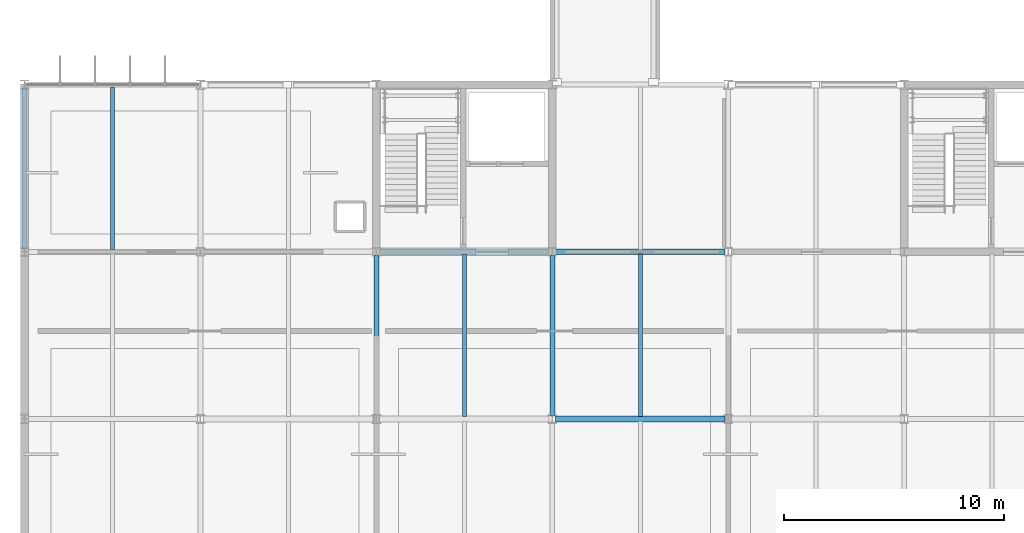
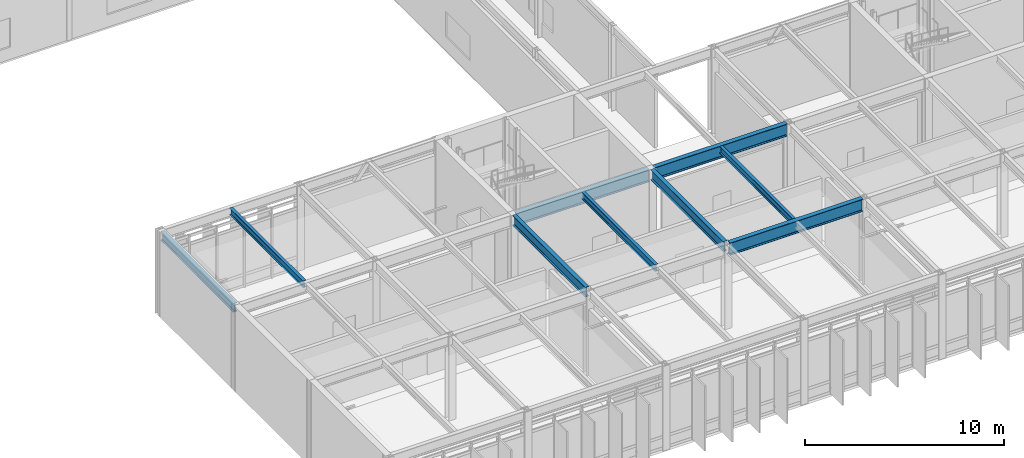
# One storey, part 24 of 94: 9 beams.
"""IFC4 building model written with IfcOpenShell, lengths in metres."""

from ifc_helpers import new_model, si_unit, direction, frame, origin, origin_2d, place, context, subcontext, project, spatial, i_section, extrude, material, material_profile, profile_set, type_object, element, save


model = new_model("IFC4")

# Units and contexts
model_context = context("Model", 3, precision=1e-05, world=origin(), true_north=direction((0.0, 1.0)))
body_context = subcontext(model_context, "Body", "Model", "MODEL_VIEW")
ifc_project = project(units=[si_unit("LENGTHUNIT", "METRE"), si_unit("AREAUNIT", "SQUARE_METRE"), si_unit("VOLUMEUNIT", "CUBIC_METRE"), si_unit("PLANEANGLEUNIT", "RADIAN"), si_unit("MASSUNIT", "GRAM", prefix="KILO")], contexts=[model_context])

# Site, building, storey
site_placement = place(None, origin())
site = spatial("IfcSite", under=ifc_project, at=site_placement, CompositionType="ELEMENT")
building_placement = place(site_placement, origin())
building = spatial("IfcBuilding", under=site, at=building_placement, Name="Zulena Civic Courthouse", CompositionType="ELEMENT")
storey_placement = place(building_placement, frame((0.0, 0.0, 5.39990234375)))
storey = spatial("IfcBuildingStorey", under=building, at=storey_placement, Name="L01", CompositionType="ELEMENT", Elevation=5.39990234375)

# Beams
ifc_material = material(Name="Steel ASTM A992 Grade 50", Category="steel")
ifc_material_profile_1 = material_profile(ifc_material, i_section(OverallWidth=0.22802734375, OverallDepth=0.60693359375, WebThickness=0.01123046875, FlangeThickness=0.017333984375, FilletRadius=0.0126953125, at=origin_2d()), Name="W24X76")
ifc_profile_set_1 = profile_set([ifc_material_profile_1], Name="Steel ASTM A992 Grade 50")
beam_type_1 = type_object("IfcBeamType", Name="Girder_W24X76", PredefinedType="BEAM", material=ifc_profile_set_1)
for number, where, z_axis, x_axis, name in (
    (1, (20.0, 7.7451171875, 4.881591796875), (0.0, 1.0, 0.0), (-1.0, 0.0, 0.0), "beam:Y:V2:L01:20.0:7.6_15.2"),
    (2, (28.0, 7.7451171875, 4.881591796875), (0.0, 1.0, 0.0), (-1.0, 0.0, 0.0), "beam:Y:V2:L01:28.0:7.6_15.2"),
):
    element("IfcBeam", number, at=place(storey_placement, frame(where, z_axis=z_axis, x_axis=x_axis)), inside=storey, type_object=beam_type_1, Name=name, PredefinedType="BEAM", context=body_context, shape_type="SweptSolid", body=[
        extrude(i_section(OverallWidth=0.22802734375, OverallDepth=0.60693359375, WebThickness=0.01123046875, FlangeThickness=0.017333984375, FilletRadius=0.0126953125, at=origin_2d()), origin(), (0.0, 0.0, 1.0), 7.309814453125),
    ])
ifc_material_profile_2 = material_profile(ifc_material, i_section(OverallWidth=0.26708984375, OverallDepth=0.761962890625, WebThickness=0.014404296875, FlangeThickness=0.021484375, FilletRadius=0.0166015625, at=origin_2d()), Name="W30X116")
ifc_profile_set_2 = profile_set([ifc_material_profile_2], Name="Steel ASTM A992 Grade 50")
beam_type_2 = type_object("IfcBeamType", Name="Girder_W30X116", PredefinedType="BEAM", material=ifc_profile_set_2)
for number, where, z_axis, x_axis, name in (
    (3, (28.14501953125, 7.60009765625, 4.80419921875), (1.0, 0.0, 0.0), (0.0, 1.0, 0.0), "beam:X:V2:L01:7.6:28.0_36.0"),
    (4, (20.14501953125, 15.199951171875, 4.80419921875), (1.0, 0.0, 0.0), (0.0, 1.0, 0.0), "beam:X:V2:L01:15.2:20.0_28.0"),
    (5, (28.14501953125, 15.199951171875, 4.80419921875), (1.0, 0.0, 0.0), (0.0, 1.0, 0.0), "beam:X:V2:L01:15.2:28.0_36.0"),
):
    element("IfcBeam", number, at=place(storey_placement, frame(where, z_axis=z_axis, x_axis=x_axis)), inside=storey, type_object=beam_type_2, Name=name, PredefinedType="BEAM", context=body_context, shape_type="SweptSolid", body=[
        extrude(i_section(OverallWidth=0.26708984375, OverallDepth=0.761962890625, WebThickness=0.014404296875, FlangeThickness=0.021484375, FilletRadius=0.0166015625, at=origin_2d()), origin(), (0.0, 0.0, 1.0), 7.7099609375),
    ])
ifc_material_profile_3 = material_profile(ifc_material, i_section(OverallWidth=0.180908203125, OverallDepth=0.4169921875, WebThickness=0.010986328125, FlangeThickness=0.018310546875, FilletRadius=0.01025390625, at=origin_2d()), Name="W16X57")
ifc_profile_set_3 = profile_set([ifc_material_profile_3], Name="Steel ASTM A992 Grade 50")
beam_type_3 = type_object("IfcBeamType", Name="Joist_W16X57", PredefinedType="JOIST", material=ifc_profile_set_3)
beam_1_placement = place(storey_placement, frame((8.0, 15.304931640625, 4.9765625), z_axis=(0.0, 1.0, 0.0), x_axis=(-1.0, 0.0, 0.0)))
element("IfcBeam", 6, at=beam_1_placement, inside=storey, type_object=beam_type_3, Name="joist:V2:L01:8.00:15.2_22.8", PredefinedType="JOIST", context=body_context, shape_type="SweptSolid", body=[
    extrude(i_section(OverallWidth=0.180908203125, OverallDepth=0.4169921875, WebThickness=0.010986328125, FlangeThickness=0.018310546875, FilletRadius=0.01025390625, at=origin_2d()), origin(), (0.0, 0.0, 1.0), 7.39013671875),
])
for number, where, z_axis, x_axis, name in (
    (7, (24.0, 7.705078125, 4.9765625), (0.0, 1.0, 0.0), (-1.0, 0.0, 0.0), "joist:V2:L01:24.00:7.6_15.2"),
    (8, (32.0, 7.705078125, 4.9765625), (0.0, 1.0, 0.0), (-1.0, 0.0, 0.0), "joist:V2:L01:32.00:7.6_15.2"),
):
    element("IfcBeam", number, at=place(storey_placement, frame(where, z_axis=z_axis, x_axis=x_axis)), inside=storey, type_object=beam_type_3, Name=name, PredefinedType="JOIST", context=body_context, shape_type="SweptSolid", body=[
        extrude(i_section(OverallWidth=0.180908203125, OverallDepth=0.4169921875, WebThickness=0.010986328125, FlangeThickness=0.018310546875, FilletRadius=0.01025390625, at=origin_2d()), origin(), (0.0, 0.0, 1.0), 7.389892578125),
    ])
ifc_material_profile_4 = material_profile(ifc_material, i_section(OverallWidth=0.2099609375, OverallDepth=0.537109375, WebThickness=0.010986328125, FlangeThickness=0.017333984375, FilletRadius=0.0126953125, at=origin_2d()), Name="W21X68")
ifc_profile_set_4 = profile_set([ifc_material_profile_4], Name="Steel ASTM A992 Grade 50")
beam_type_4 = type_object("IfcBeamType", Name="Spandrel_W21X68", PredefinedType="SPANDREL", material=ifc_profile_set_4)
beam_2_placement = place(storey_placement, frame((4.0, 15.344970703125, 4.91650390625), z_axis=(0.0, 1.0, 0.0), x_axis=(-1.0, 0.0, 0.0)))
element("IfcBeam", 9, at=beam_2_placement, inside=storey, type_object=beam_type_4, Name="beam:Y:V2:L01:4.0:15.2_22.8", PredefinedType="SPANDREL", context=body_context, shape_type="SweptSolid", body=[
    extrude(i_section(OverallWidth=0.2099609375, OverallDepth=0.537109375, WebThickness=0.010986328125, FlangeThickness=0.017333984375, FilletRadius=0.0126953125, at=origin_2d()), origin(), (0.0, 0.0, 1.0), 7.31005859375),
])

save(model, "model.ifc")
